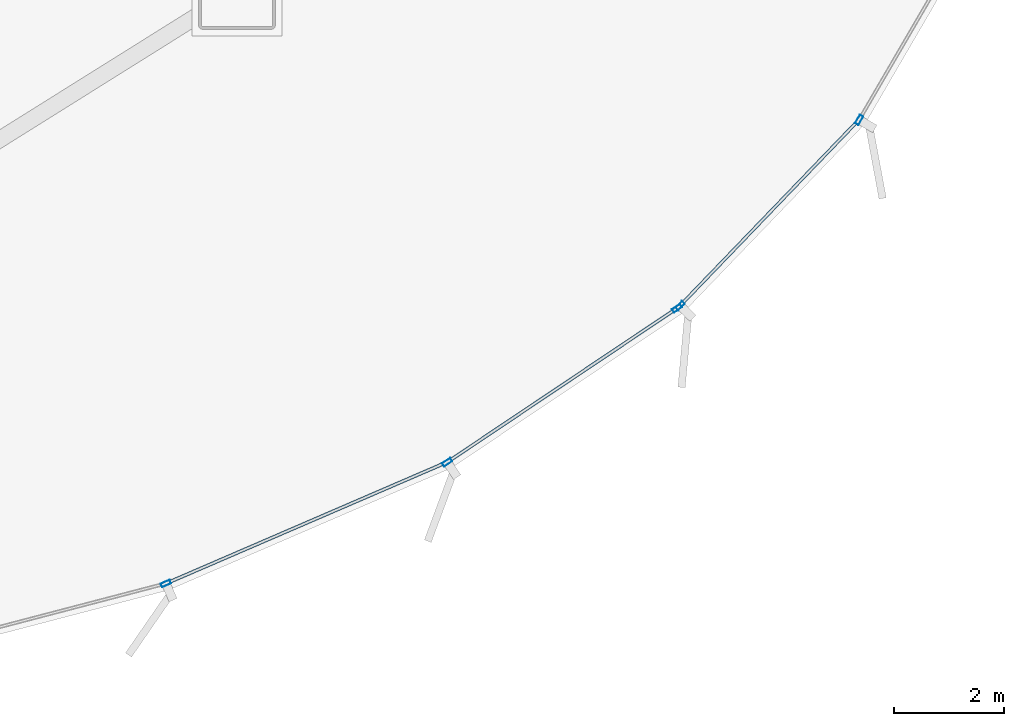
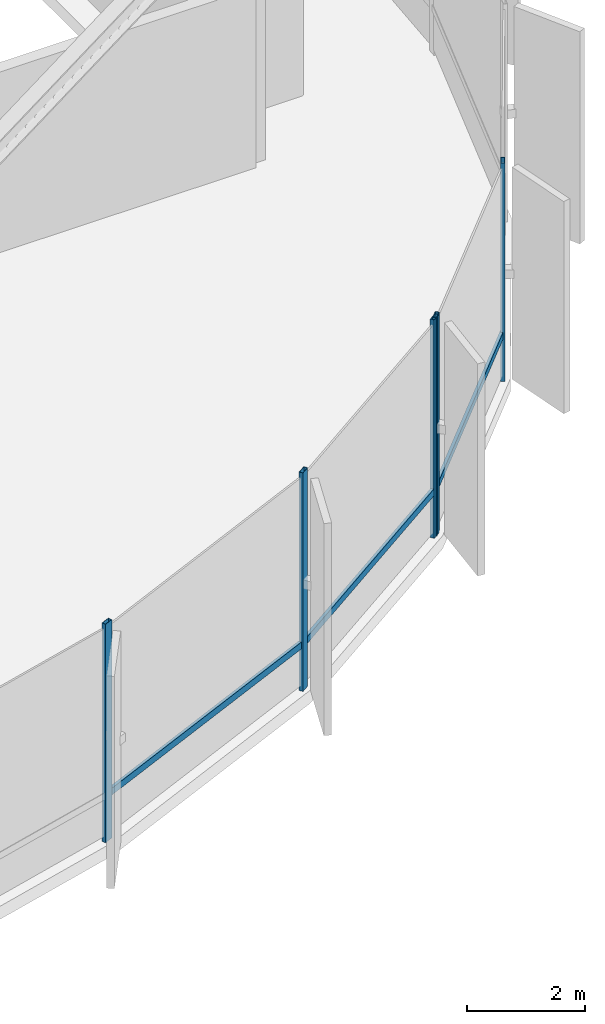
# One storey, part 16 of 34: 8 members, 2 elements without a shape of their own.
"""IFC4 building model written with IfcOpenShell, lengths in metres."""

from ifc_helpers import new_model, si_unit, direction, frame, origin, origin_2d, place, context, subcontext, project, spatial, hollow_rectangle, extrude, source, transform, mapped, material, layer, layer_set, material_profile, profile_set, type_object, element, aggregate, save


model = new_model("IFC4")

# Units and contexts
model_context = context("Model", 3, precision=1e-05, world=origin(), true_north=direction((0.0, 1.0)))
body_context = subcontext(model_context, "Body", "Model", "MODEL_VIEW")
ifc_project = project(units=[si_unit("LENGTHUNIT", "METRE"), si_unit("AREAUNIT", "SQUARE_METRE"), si_unit("VOLUMEUNIT", "CUBIC_METRE"), si_unit("PLANEANGLEUNIT", "RADIAN"), si_unit("MASSUNIT", "GRAM", prefix="KILO"), si_unit("THERMODYNAMICTEMPERATUREUNIT", "KELVIN")], contexts=[model_context])

# Site, building, storey
site_placement = place(None, origin())
site = spatial("IfcSite", under=ifc_project, at=site_placement, CompositionType="ELEMENT")
building_placement = place(site_placement, origin())
building = spatial("IfcBuilding", under=site, at=building_placement, Name="Kethvar Cultural Tower", CompositionType="ELEMENT")
storey_placement = place(building_placement, frame((0.0, 0.0, 14.800048828125)))
storey = spatial("IfcBuildingStorey", under=building, at=storey_placement, Name="L03", CompositionType="ELEMENT", Elevation=14.800048828125)

# Curtain wall, member
ifc_material = material(Name="Aluminium 6063-T6", Category="aluminium")
ifc_layer = layer(ifc_material, 0.179931640625, Name="Aluminium 6063-T6", Category="aluminium")
ifc_layer_set = layer_set([ifc_layer], Name="Aluminium 6063-T6 (180 mm)")
curtain_wall_type = type_object("IfcCurtainWallType", Name="CW-SYS-01-POD", PredefinedType="NOTDEFINED", material=ifc_layer_set)
curtain_wall_1_placement = place(storey_placement, origin())
curtain_wall_1 = element("IfcCurtainWall", 1, at=curtain_wall_1_placement, inside=storey, type_object=curtain_wall_type, Name="L03 Curtain Wall Run 06", PredefinedType="NOTDEFINED")
ifc_material_profile_1 = material_profile(ifc_material, hollow_rectangle(XDim=0.06005859375, YDim=0.139892578125, WallThickness=0.0048828125, at=origin_2d()), Name="Aluminium 6063-T6 — RHS140x60x5")
ifc_profile_set_1 = profile_set([ifc_material_profile_1], Name="Aluminium 6063-T6 — RHS140x60x5")
member_type_1 = type_object("IfcMemberType", Name="CW-SYS-01-POD-TRN", PredefinedType="USERDEFINED", material=ifc_profile_set_1)
shared_shape_1 = source(origin(), body_context, "Body", "SweptSolid", [
    extrude(hollow_rectangle(XDim=0.06005859375, YDim=0.139892578125, WallThickness=0.0048828125, at=origin_2d()), origin(), (0.0, 0.0, 1.0), 4.6826171875),
])
member_1_placement = place(storey_placement, frame((75.5068359375, 8.283203125, 0.949951171875), z_axis=(0.693341040309, 0.72060960431, 0.0), x_axis=(-0.72060960431, 0.693341040309, 0.0)))
member_1 = element("IfcMember", 2, at=member_1_placement, type_object=member_type_1, Name="CW-L03-R06 Transom 1", ObjectType="TRANSOM", PredefinedType="USERDEFINED", context=body_context, shape_type="MappedRepresentation", body=[
    mapped(shared_shape_1, transform((0.0, 0.0, 0.0), scale=1.0)),
])

# Curtain wall, members
curtain_wall_2_placement = place(storey_placement, origin())
curtain_wall_2 = element("IfcCurtainWall", 3, at=curtain_wall_2_placement, inside=storey, type_object=curtain_wall_type, Name="L03 Curtain Wall Run 05", PredefinedType="NOTDEFINED")
shared_shape_2 = source(origin(), body_context, "Body", "SweptSolid", [
    extrude(hollow_rectangle(XDim=0.06005859375, YDim=0.139892578125, WallThickness=0.0048828125, at=origin_2d()), origin(), (0.0, 0.0, 1.0), 4.991455078125),
])
member_2_placement = place(storey_placement, frame((71.298828125, 5.4541015625, 0.949951171875), z_axis=(0.830806616573, 0.556561196867, 0.0), x_axis=(-0.556561196867, 0.830806616573, 0.0)))
member_2 = element("IfcMember", 4, at=member_2_placement, type_object=member_type_1, Name="CW-L03-R05 Transom 6", ObjectType="TRANSOM", PredefinedType="USERDEFINED", context=body_context, shape_type="MappedRepresentation", body=[
    mapped(shared_shape_2, transform((0.0, 0.0, 0.0), scale=1.0)),
])
shared_shape_3 = source(origin(), body_context, "Body", "SweptSolid", [
    extrude(hollow_rectangle(XDim=0.06005859375, YDim=0.139892578125, WallThickness=0.0048828125, at=origin_2d()), origin(), (0.0, 0.0, 1.0), 5.504638671875),
])
member_3_placement = place(storey_placement, frame((66.17138671875, 3.231689453125, 0.949951171875), z_axis=(0.918072625283, 0.39641222825, 0.0), x_axis=(-0.39641222825, 0.918072625283, 0.0)))
member_3 = element("IfcMember", 5, at=member_3_placement, type_object=member_type_1, Name="CW-L03-R05 Transom 5", ObjectType="TRANSOM", PredefinedType="USERDEFINED", context=body_context, shape_type="MappedRepresentation", body=[
    mapped(shared_shape_3, transform((0.0, 0.0, 0.0), scale=1.0)),
])
ifc_material_profile_2 = material_profile(ifc_material, hollow_rectangle(XDim=0.074951171875, YDim=0.179931640625, WallThickness=0.006103515625, at=origin_2d()), Name="Aluminium 6063-T6 — RHS180x75x6")
ifc_profile_set_2 = profile_set([ifc_material_profile_2], Name="Aluminium 6063-T6 — RHS180x75x6")
member_type_2 = type_object("IfcMemberType", Name="CW-SYS-01-POD-MUL", PredefinedType="MULLION", material=ifc_profile_set_2)
shared_shape_4 = source(origin(), body_context, "Body", "SweptSolid", [
    extrude(hollow_rectangle(XDim=0.074951171875, YDim=0.179931640625, WallThickness=0.006103515625, at=origin_2d()), origin(), (0.0, 0.0, 1.0), 4.530029296875),
])
member_4_placement = place(storey_placement, frame((66.121826171875, 3.210205078125, 0.0), z_axis=(0.0, 0.0, 1.0), x_axis=(-0.396410942082, 0.918073180633, 0.0)))
member_4 = element("IfcMember", 6, at=member_4_placement, type_object=member_type_2, Name="CW-L03-R05 Mullion 5", PredefinedType="MULLION", context=body_context, shape_type="MappedRepresentation", body=[
    mapped(shared_shape_4, transform((0.0, 0.0, 0.0), scale=1.0)),
])
member_5_placement = place(storey_placement, frame((71.25390625, 5.424072265625, 0.0), z_axis=(0.0, 0.0, 1.0), x_axis=(-0.556556649514, 0.830809662848, 0.0)))
member_5 = element("IfcMember", 7, at=member_5_placement, type_object=member_type_2, Name="CW-L03-R05 Mullion 6", PredefinedType="MULLION", context=body_context, shape_type="MappedRepresentation", body=[
    mapped(shared_shape_4, transform((0.0, 0.0, 0.0), scale=1.0)),
])
member_6_placement = place(storey_placement, frame((75.4501953125, 8.235107421875, 0.0), z_axis=(0.0, 0.0, 1.0), x_axis=(-0.556556649514, 0.830809662848, 0.0)))
member_6 = element("IfcMember", 8, at=member_6_placement, type_object=member_type_2, Name="CW-L03-R05 Mullion 7", PredefinedType="MULLION", context=body_context, shape_type="MappedRepresentation", body=[
    mapped(shared_shape_4, transform((0.0, 0.0, 0.0), scale=1.0)),
])
aggregate(curtain_wall_2, [member_4, member_5, member_6, member_3, member_2])

# Member
member_7_placement = place(storey_placement, frame((75.503173828125, 8.279541015625, 0.0), z_axis=(0.0, 0.0, 1.0), x_axis=(-0.720611619661, 0.693338945689, 0.0)))
member_7 = element("IfcMember", 9, at=member_7_placement, type_object=member_type_2, Name="CW-L03-R06 Mullion 1", PredefinedType="MULLION", context=body_context, shape_type="MappedRepresentation", body=[
    mapped(shared_shape_4, transform((0.0, 0.0, 0.0), scale=1.0)),
])

member_8_placement = place(storey_placement, frame((78.772216796875, 11.671630859375, 0.0), z_axis=(0.0, 0.0, 1.0), x_axis=(-0.863984939927, 0.503517649721, 0.0)))
member_8 = element("IfcMember", 10, at=member_8_placement, type_object=member_type_2, Name="CW-L03-R06 Mullion 2", PredefinedType="MULLION", context=body_context, shape_type="MappedRepresentation", body=[
    mapped(shared_shape_4, transform((0.0, 0.0, 0.0), scale=1.0)),
])

aggregate(curtain_wall_1, [member_7, member_8, member_1])

save(model, "model.ifc")
